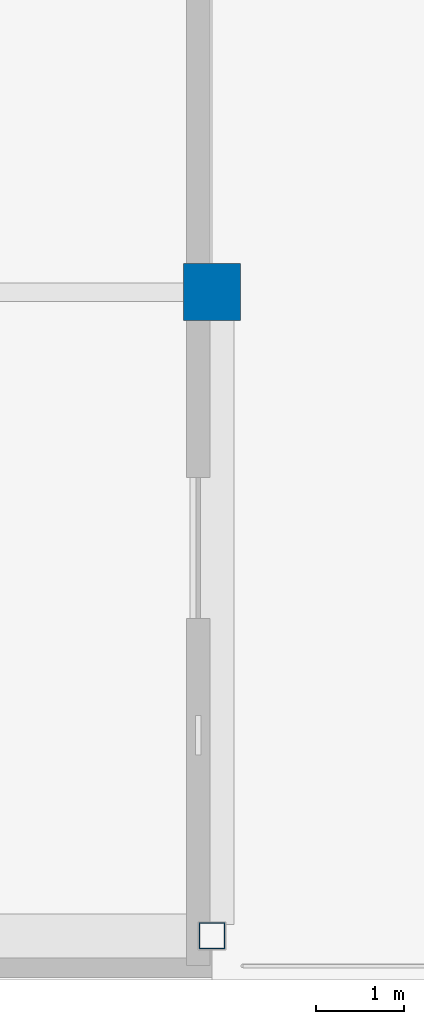
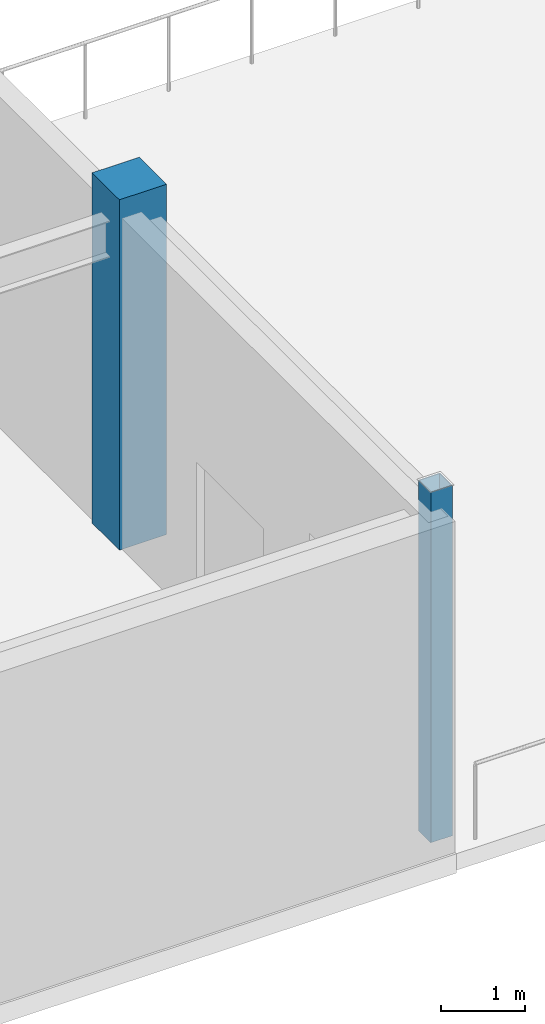
# One storey, part 4 of 78: 2 columns.
"""IFC4 building model written with IfcOpenShell, lengths in metres."""

from ifc_helpers import new_model, si_unit, direction, frame, origin, origin_2d, place, context, subcontext, project, spatial, rectangle, hollow_rectangle, extrude, material, material_profile, profile_set, type_object, element, save


model = new_model("IFC4")

# Units and contexts
model_context = context("Model", 3, precision=1e-05, world=origin(), true_north=direction((0.0, 1.0)))
body_context = subcontext(model_context, "Body", "Model", "MODEL_VIEW")
ifc_project = project(units=[si_unit("LENGTHUNIT", "METRE"), si_unit("AREAUNIT", "SQUARE_METRE"), si_unit("VOLUMEUNIT", "CUBIC_METRE"), si_unit("PLANEANGLEUNIT", "RADIAN"), si_unit("MASSUNIT", "GRAM", prefix="KILO")], contexts=[model_context])

# Site, building, storey
site_placement = place(None, origin())
site = spatial("IfcSite", under=ifc_project, at=site_placement, CompositionType="ELEMENT")
building_placement = place(site_placement, origin())
building = spatial("IfcBuilding", under=site, at=building_placement, Name="Quendrovan Civic Courthouse", CompositionType="ELEMENT")
storey_placement = place(building_placement, frame((0.0, 0.0, 10.199951171875)))
storey = spatial("IfcBuildingStorey", under=building, at=storey_placement, Name="L03", CompositionType="ELEMENT", Elevation=10.199951171875)

# Columns
ifc_material_1 = material(Name="Concrete C45/55", Category="concrete")
ifc_material_profile_1 = material_profile(ifc_material_1, rectangle(XDim=0.64990234375, YDim=0.64990234375, at=origin_2d()), Name="RC-COL-650x650")
ifc_profile_set_1 = profile_set([ifc_material_profile_1], Name="Concrete C45/55")
column_type_1 = type_object("IfcColumnType", Name="COL-RC650", PredefinedType="COLUMN", material=ifc_profile_set_1)
column_1_placement = place(storey_placement, frame((67.199951171875, 7.800048828125, 0.0), z_axis=(0.0, 0.0, 1.0), x_axis=(1.0, 0.0, 0.0)))
element("IfcColumn", 1, at=column_1_placement, inside=storey, type_object=column_type_1, Name="L03 Column 9-B", PredefinedType="COLUMN", context=body_context, shape_type="SweptSolid", body=[
    extrude(rectangle(XDim=0.64990234375, YDim=0.64990234375, at=origin_2d()), origin(), (0.0, 0.0, 1.0), 5.10009765625),
])
ifc_material_2 = material(Name="Steel ASTM A500 Grade C", Category="steel")
ifc_material_profile_2 = material_profile(ifc_material_2, hollow_rectangle(XDim=0.300048828125, YDim=0.300048828125, WallThickness=0.011962890625, at=origin_2d()), Name="HSS300x300x12")
ifc_profile_set_2 = profile_set([ifc_material_profile_2], Name="Steel ASTM A500 Grade C")
column_type_2 = type_object("IfcColumnType", Name="COL-STL-HSS300S", PredefinedType="COLUMN", material=ifc_profile_set_2)
column_2_placement = place(storey_placement, frame((67.199951171875, 0.5, 0.0), z_axis=(0.0, 0.0, 1.0), x_axis=(1.0, 0.0, 0.0)))
element("IfcColumn", 2, at=column_2_placement, inside=storey, type_object=column_type_2, Name="L03 Column 9-A", PredefinedType="COLUMN", context=body_context, shape_type="SweptSolid", body=[
    extrude(hollow_rectangle(XDim=0.300048828125, YDim=0.300048828125, WallThickness=0.011962890625, at=origin_2d()), origin(), (0.0, 0.0, 1.0), 5.10009765625),
])

save(model, "model.ifc")
